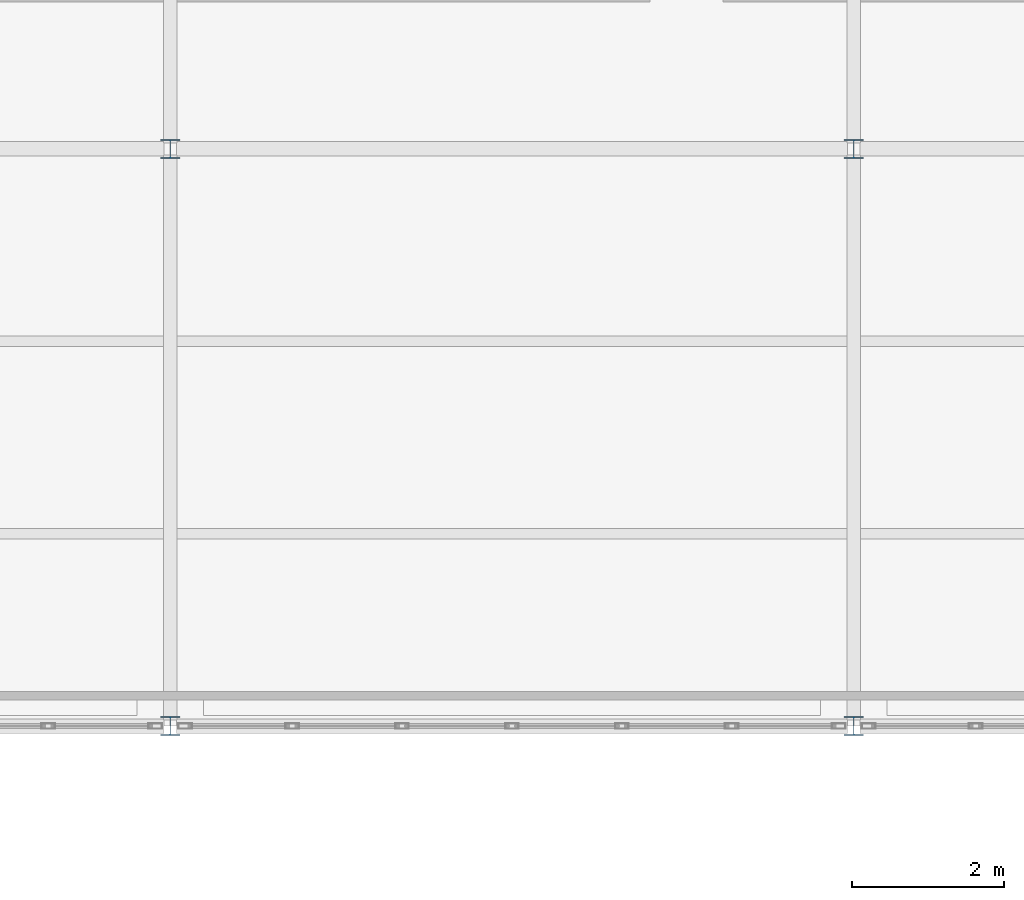
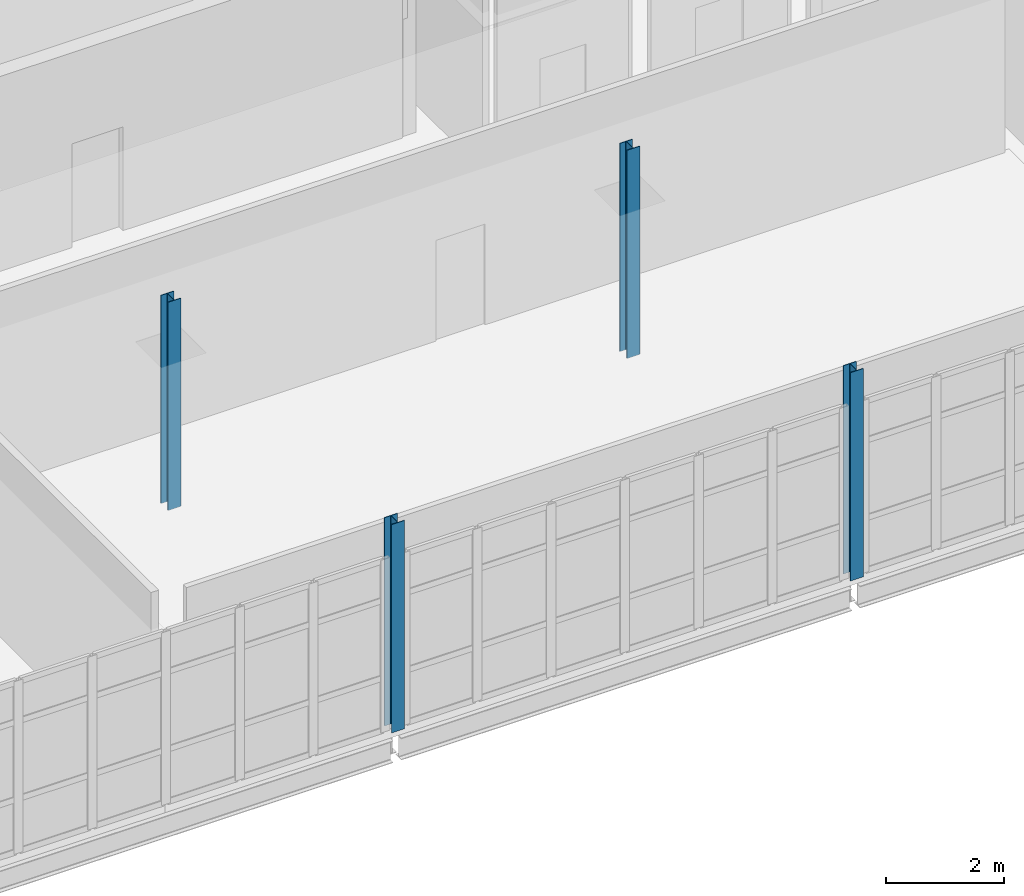
# One storey, part 13 of 166: 4 columns.
"""IFC4 building model written with IfcOpenShell, lengths in metres."""

from ifc_helpers import new_model, si_unit, direction, frame, origin, origin_2d, place, context, subcontext, project, spatial, i_section, extrude, material, material_profile, profile_set, type_object, element, save


model = new_model("IFC4")

# Units and contexts
model_context = context("Model", 3, precision=1e-05, world=origin(), true_north=direction((0.0, 1.0)))
body_context = subcontext(model_context, "Body", "Model", "MODEL_VIEW")
ifc_project = project(units=[si_unit("LENGTHUNIT", "METRE"), si_unit("AREAUNIT", "SQUARE_METRE"), si_unit("VOLUMEUNIT", "CUBIC_METRE"), si_unit("PLANEANGLEUNIT", "RADIAN"), si_unit("MASSUNIT", "GRAM", prefix="KILO")], contexts=[model_context])

# Site, building, storey
site_placement = place(None, origin())
site = spatial("IfcSite", under=ifc_project, at=site_placement, CompositionType="ELEMENT")
building_placement = place(site_placement, origin())
building = spatial("IfcBuilding", under=site, at=building_placement, Name="Caisbarro Railhouse Central Library", CompositionType="ELEMENT")
storey_placement = place(building_placement, frame((0.0, 0.0, 9.360107421875)))
storey = spatial("IfcBuildingStorey", under=building, at=storey_placement, Name="L02", CompositionType="ELEMENT", Elevation=9.360107421875)

# Columns
ifc_material = material(Name="Steel ASTM A572 Grade 50", Category="steel")
ifc_material_profile = material_profile(ifc_material, i_section(OverallWidth=0.25390625, OverallDepth=0.2529296875, WebThickness=0.008544921875, FlangeThickness=0.01416015625, FilletRadius=0.011962890625, at=origin_2d()), Name="W250X73.0")
ifc_profile_set = profile_set([ifc_material_profile], Name="Steel ASTM A572 Grade 50")
column_type = type_object("IfcColumnType", Name="COL-C08", PredefinedType="COLUMN", material=ifc_profile_set)
for number, where, z_axis, x_axis, name in (
    (1, (81.0, 83.60009765625, 0.0), (0.0, 0.0, 1.0), (1.0, 0.0, 0.0), "C08 column L02 (81.0,83.6)"),
    (2, (81.0, 91.199951171875, 0.0), (0.0, 0.0, 1.0), (1.0, 0.0, 0.0), "C08 column L02 (81.0,91.2)"),
    (3, (90.0, 83.60009765625, 0.0), (0.0, 0.0, 1.0), (1.0, 0.0, 0.0), "C08 column L02 (90.0,83.6)"),
    (4, (90.0, 91.199951171875, 0.0), (0.0, 0.0, 1.0), (1.0, 0.0, 0.0), "C08 column L02 (90.0,91.2)"),
):
    element("IfcColumn", number, at=place(storey_placement, frame(where, z_axis=z_axis, x_axis=x_axis)), inside=storey, type_object=column_type, Name=name, PredefinedType="COLUMN", context=body_context, shape_type="SweptSolid", body=[
        extrude(i_section(OverallWidth=0.25390625, OverallDepth=0.2529296875, WebThickness=0.008544921875, FlangeThickness=0.01416015625, FilletRadius=0.011962890625, at=origin_2d()), origin(), (0.0, 0.0, 1.0), 4.31982421875),
    ])

save(model, "model.ifc")
